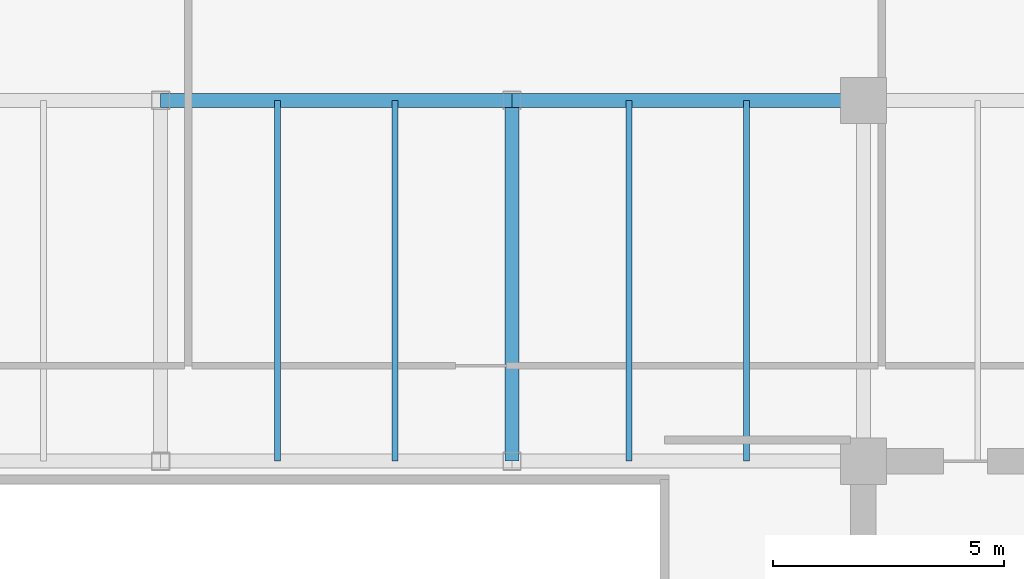
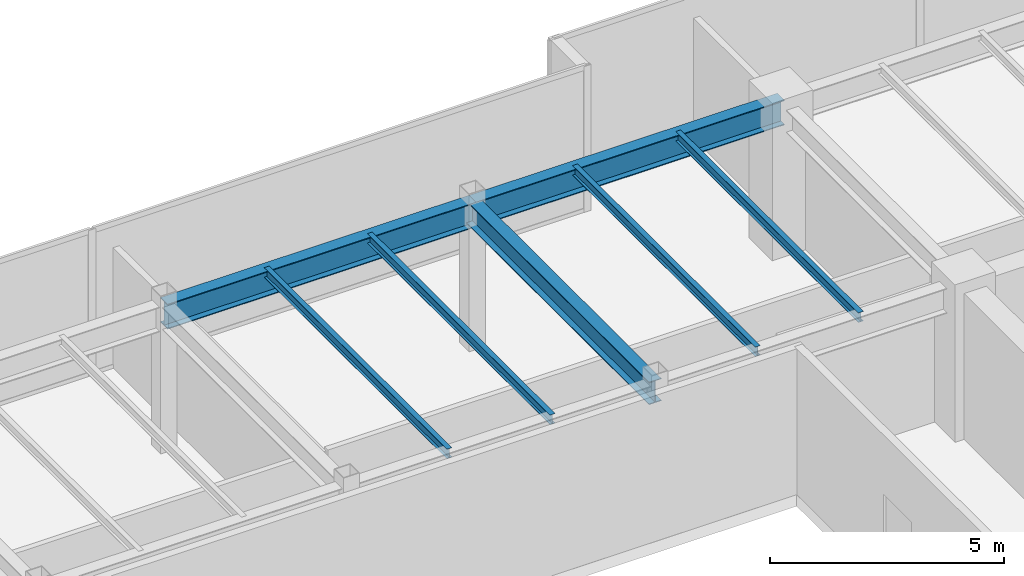
# One storey, part 18 of 33: 7 beams.
"""IFC4 building model written with IfcOpenShell, lengths in metres."""

from ifc_helpers import new_model, si_unit, direction, frame, origin, origin_2d, place, context, subcontext, project, spatial, i_section, extrude, source, transform, mapped, material, material_profile, profile_set, type_object, type_shapes, element, save


model = new_model("IFC4")

# Units and contexts
model_context = context("Model", 3, precision=1e-05, world=origin(), true_north=direction((0.0, 1.0)))
body_context = subcontext(model_context, "Body", "Model", "MODEL_VIEW")
ifc_project = project(units=[si_unit("LENGTHUNIT", "METRE"), si_unit("AREAUNIT", "SQUARE_METRE"), si_unit("VOLUMEUNIT", "CUBIC_METRE"), si_unit("PLANEANGLEUNIT", "RADIAN"), si_unit("MASSUNIT", "GRAM", prefix="KILO")], contexts=[model_context])

# Site, building, storey
site_placement = place(None, origin())
site = spatial("IfcSite", under=ifc_project, at=site_placement, CompositionType="ELEMENT")
building_placement = place(site_placement, origin())
building = spatial("IfcBuilding", under=site, at=building_placement, Name="Haelvirn Gate Laboratories", CompositionType="ELEMENT")
storey_placement = place(building_placement, frame((0.0, 0.0, 271.10009765625)))
storey = spatial("IfcBuildingStorey", under=building, at=storey_placement, Name="L65", CompositionType="ELEMENT", Elevation=271.10009765625)

# Beams
ifc_material = material(Name="Steel SM355", Category="steel")
ifc_material_profile_1 = material_profile(ifc_material, i_section(OverallWidth=0.300048828125, OverallDepth=0.587890625, WebThickness=0.011962890625, FlangeThickness=0.02001953125, at=origin_2d()), Name="H-588x300x12x20")
ifc_profile_set_1 = profile_set([ifc_material_profile_1], Name="Steel SM355")
beam_type_1 = type_object("IfcBeamType", Name="BM-G-588", PredefinedType="BEAM", material=ifc_profile_set_1)
shared_shape_1 = source(origin(), body_context, "Body", "SweptSolid", [
    extrude(i_section(OverallWidth=0.300048828125, OverallDepth=0.587890625, WebThickness=0.011962890625, FlangeThickness=0.02001953125, at=origin_2d()), origin(), (0.0, 0.0, 1.0), 7.800048828125),
])
type_shapes(beam_type_1, [shared_shape_1])
beam_placement = place(storey_placement, frame((45.0, 33.800048828125, 3.505859375), z_axis=(0.0, 1.0, 0.0), x_axis=(-1.0, 0.0, 0.0)))
element("IfcBeam", 1, at=beam_placement, inside=storey, type_object=beam_type_1, Name="L65 Frame Girder X45.0 (33.8-41.6)", PredefinedType="BEAM", context=body_context, shape_type="MappedRepresentation", body=[
    mapped(shared_shape_1, transform((0.0, 0.0, 0.0), scale=1.0)),
])
ifc_material_profile_2 = material_profile(ifc_material, i_section(OverallWidth=0.300048828125, OverallDepth=0.64990234375, WebThickness=0.012939453125, FlangeThickness=0.02197265625, at=origin_2d()), Name="H-650x300x13x22")
ifc_profile_set_2 = profile_set([ifc_material_profile_2], Name="Steel SM355")
beam_type_2 = type_object("IfcBeamType", Name="BM-G-650", PredefinedType="BEAM", material=ifc_profile_set_2)
shared_shape_2 = source(origin(), body_context, "Body", "SweptSolid", [
    extrude(i_section(OverallWidth=0.300048828125, OverallDepth=0.64990234375, WebThickness=0.012939453125, FlangeThickness=0.02197265625, at=origin_2d()), origin(), (0.0, 0.0, 1.0), 7.60009765625),
])
type_shapes(beam_type_2, [shared_shape_2])
for number, where, z_axis, x_axis, name in (
    (2, (37.39990234375, 41.60009765625, 3.474853515625), (1.0, 0.0, 0.0), (0.0, 1.0, 0.0), "L65 Primary Girder Y41.6 (37.4-45.0)"),
    (3, (45.0, 41.60009765625, 3.474853515625), (1.0, 0.0, 0.0), (0.0, 1.0, 0.0), "L65 Primary Girder Y41.6 (45.0-52.6)"),
):
    element("IfcBeam", number, at=place(storey_placement, frame(where, z_axis=z_axis, x_axis=x_axis)), inside=storey, type_object=beam_type_2, Name=name, PredefinedType="BEAM", context=body_context, shape_type="MappedRepresentation", body=[
        mapped(shared_shape_2, transform((0.0, 0.0, 0.0), scale=1.0)),
    ])
ifc_material_profile_3 = material_profile(ifc_material, i_section(OverallWidth=0.125, OverallDepth=0.25, WebThickness=0.006103515625, FlangeThickness=0.009033203125, at=origin_2d()), Name="H-250x125x6x9")
ifc_profile_set_3 = profile_set([ifc_material_profile_3], Name="Steel SM355")
beam_type_3 = type_object("IfcBeamType", Name="BM-J-250", PredefinedType="JOIST", material=ifc_profile_set_3)
shared_shape_3 = source(origin(), body_context, "Body", "SweptSolid", [
    extrude(i_section(OverallWidth=0.125, OverallDepth=0.25, WebThickness=0.006103515625, FlangeThickness=0.009033203125, at=origin_2d()), origin(), (0.0, 0.0, 1.0), 7.800048828125),
])
type_shapes(beam_type_3, [shared_shape_3])
for number, where, z_axis, x_axis, name in (
    (4, (39.929931640625, 33.800048828125, 3.6748046875), (0.0, 1.0, 0.0), (-1.0, 0.0, 0.0), "L65 Composite Lab Joist North X39.93"),
    (5, (42.469970703125, 33.800048828125, 3.6748046875), (0.0, 1.0, 0.0), (-1.0, 0.0, 0.0), "L65 Composite Lab Joist North X42.47"),
    (6, (47.530029296875, 33.800048828125, 3.6748046875), (0.0, 1.0, 0.0), (-1.0, 0.0, 0.0), "L65 Composite Lab Joist North X47.53"),
    (7, (50.070068359375, 33.800048828125, 3.6748046875), (0.0, 1.0, 0.0), (-1.0, 0.0, 0.0), "L65 Composite Lab Joist North X50.07"),
):
    element("IfcBeam", number, at=place(storey_placement, frame(where, z_axis=z_axis, x_axis=x_axis)), inside=storey, type_object=beam_type_3, Name=name, PredefinedType="JOIST", context=body_context, shape_type="MappedRepresentation", body=[
        mapped(shared_shape_3, transform((0.0, 0.0, 0.0), scale=1.0)),
    ])

save(model, "model.ifc")
